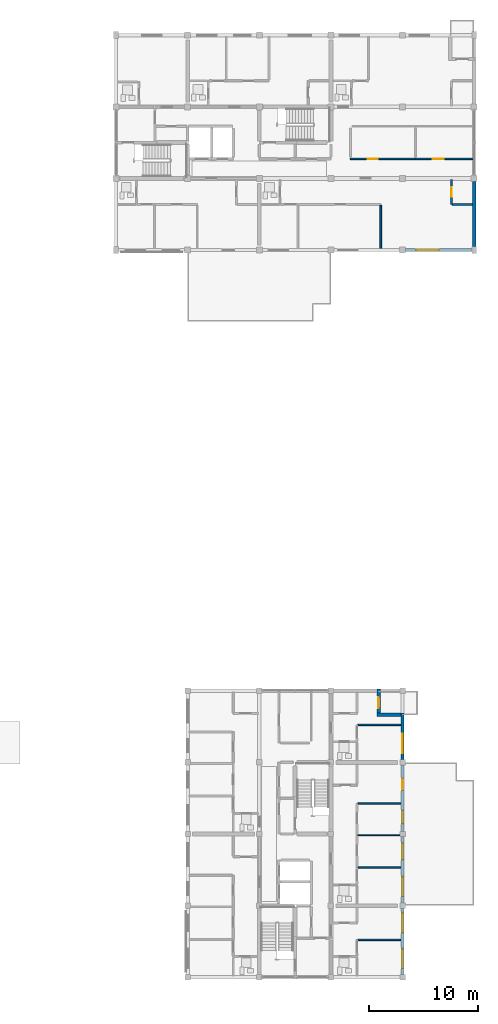
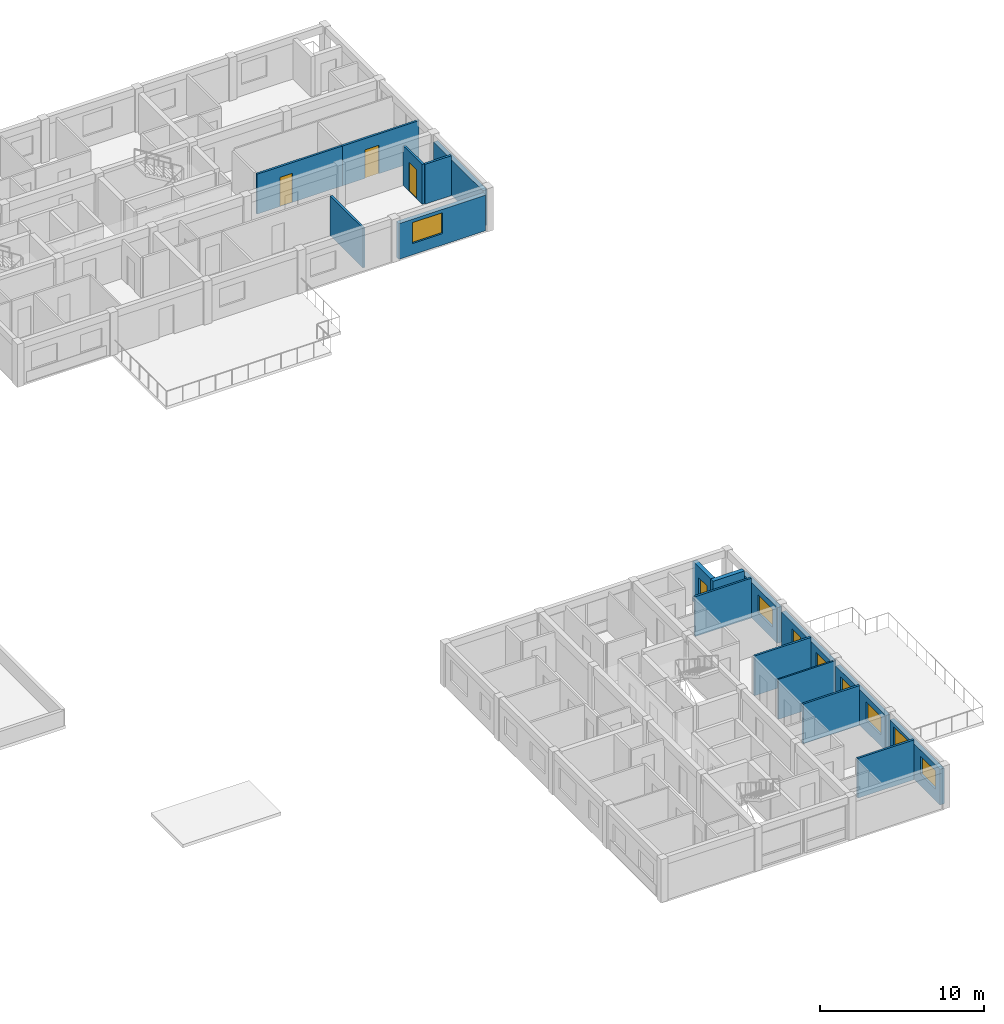
# One storey, part 40 of 51: 18 walls, 7 windows, 5 doors, 12 openings.
"""IFC4 building model written with IfcOpenShell, lengths in metres."""

from ifc_helpers import new_model, si_unit, direction, frame, frame_2d, origin, place, context, subcontext, project, spatial, rectangle, extrude, material, layer, layer_set, type_object, element, fill, save


model = new_model("IFC4")

# Units and contexts
model_context = context("Model", 3, precision=1e-05, world=origin(), true_north=direction((0.0, 1.0)))
body_context = subcontext(model_context, "Body", "Model", "MODEL_VIEW")
ifc_project = project(units=[si_unit("LENGTHUNIT", "METRE"), si_unit("AREAUNIT", "SQUARE_METRE"), si_unit("VOLUMEUNIT", "CUBIC_METRE"), si_unit("PLANEANGLEUNIT", "RADIAN"), si_unit("MASSUNIT", "GRAM", prefix="KILO")], contexts=[model_context])

# Site, building, storey
site_placement = place(None, origin())
site = spatial("IfcSite", under=ifc_project, at=site_placement, CompositionType="ELEMENT")
building_placement = place(site_placement, origin())
building = spatial("IfcBuilding", under=site, at=building_placement, Name="Kernevlak Ridge Housing Community", CompositionType="ELEMENT")
storey_placement = place(building_placement, frame((0.0, 0.0, 8.39990234375)))
storey = spatial("IfcBuildingStorey", under=building, at=storey_placement, Name="L02", CompositionType="ELEMENT", Elevation=8.39990234375)

# Wall, opening, window
ifc_material_1 = material(Name="Concrete block masonry M10", Category="masonry")
ifc_layer_1 = layer(ifc_material_1, 0.300048828125, Name="Concrete block masonry M10")
ifc_layer_set_1 = layer_set([ifc_layer_1], Name="Concrete block masonry M10")
wall_type_1 = type_object("IfcWallType", Name="EW-01", PredefinedType="STANDARD", material=ifc_layer_set_1)
wall_1_placement = place(storey_placement, frame((146.074951171875, 82.60009765625, 0.0), z_axis=(0.0, 0.0, 1.0), x_axis=(1.0, 0.0, 0.0)))
wall_1 = element("IfcWall", 1, at=wall_1_placement, inside=storey, type_object=wall_type_1, Name="Exterior wall EW-01 L02 327", PredefinedType="STANDARD", context=body_context, shape_type="SweptSolid", body=[
    extrude(rectangle(XDim=6.10009765625, YDim=0.300048828125, at=frame_2d((3.050048828125, 0.0))), origin(), (0.0, 0.0, 1.0), 2.650146484375),
])
opening_1_placement = place(wall_1_placement, frame((0.968994140625, 0.0, 0.85009765625)))
opening_1 = element("IfcOpeningElement", 2, at=opening_1_placement, cuts=wall_1, Name="Opening WT-05", PredefinedType="OPENING", context=body_context, shape_type="SweptSolid", body=[
    extrude(rectangle(XDim=2.10009765625, YDim=1.550048828125, at=frame_2d((1.050048828125, 0.77490234375))), frame((0.0, 0.159912109375, 0.0), z_axis=(0.0, -1.0, 0.0), x_axis=(1.0, 0.0, 0.0)), (0.0, 0.0, 1.0), 0.320068359375),
])
ifc_material_2 = material(Name="Aluminium EN AW-6060 anodised and laminated glass", Category="aluminium")
window_type_1 = type_object("IfcWindowType", Name="WT-05", PartitioningType="SINGLE_PANEL", PredefinedType="WINDOW", material=ifc_material_2)
window_1_placement = place(opening_1_placement, origin())
window_1 = element("IfcWindow", 3, at=window_1_placement, inside=storey, type_object=window_type_1, Name="Window WT-05 L02 252", OverallHeight=1.550048828125, OverallWidth=2.10009765625, PartitioningType="SINGLE_PANEL", PredefinedType="WINDOW", context=body_context, shape_type="SweptSolid", body=[
    extrude(rectangle(XDim=2.10009765625, YDim=1.550048828125, at=frame_2d((1.050048828125, 0.77490234375))), frame((0.0, 0.030029296875, 0.0), z_axis=(0.0, -1.0, 0.0), x_axis=(1.0, 0.0, 0.0)), (0.0, 0.0, 1.0), 0.06005859375),
])
fill(opening_1, window_1)

# Wall
wall_2_placement = place(storey_placement, frame((152.39990234375, 82.925048828125, 0.0), z_axis=(0.0, 0.0, 1.0), x_axis=(0.0, 1.0, 0.0)))
element("IfcWall", 4, at=wall_2_placement, inside=storey, type_object=wall_type_1, Name="Exterior wall EW-01 L02 337", PredefinedType="STANDARD", context=body_context, shape_type="SweptSolid", body=[
    extrude(rectangle(XDim=6.0, YDim=0.300048828125, at=frame_2d((3.0, 0.0))), origin(), (0.0, 0.0, 1.0), 2.650146484375),
])

# Wall, openings, windows
wall_3_placement = place(storey_placement, frame((145.800048828125, 15.85009765625, 0.0), z_axis=(0.0, 0.0, 1.0), x_axis=(0.0, 1.0, 0.0)))
wall_3 = element("IfcWall", 5, at=wall_3_placement, inside=storey, type_object=wall_type_1, Name="Exterior wall EW-01 L02 562", PredefinedType="STANDARD", context=body_context, shape_type="SweptSolid", body=[
    extrude(rectangle(XDim=6.099853515625, YDim=0.300048828125, at=frame_2d((3.0498046875, 0.0))), origin(), (0.0, 0.0, 1.0), 2.650146484375),
])
opening_2_placement = place(wall_3_placement, frame((0.574951171875, 0.0, 0.85009765625)))
opening_2 = element("IfcOpeningElement", 6, at=opening_2_placement, cuts=wall_3, Name="Opening WT-03", PredefinedType="OPENING", context=body_context, shape_type="SweptSolid", body=[
    extrude(rectangle(XDim=1.800048828125, YDim=1.35009765625, at=frame_2d((0.89990234375, 0.675048828125))), frame((0.0, 0.159912109375, 0.0), z_axis=(0.0, -1.0, 0.0), x_axis=(1.0, 0.0, 0.0)), (0.0, 0.0, 1.0), 0.320068359375),
])
opening_3_placement = place(wall_3_placement, frame((3.875, 0.0, 0.85009765625)))
opening_3 = element("IfcOpeningElement", 7, at=opening_3_placement, cuts=wall_3, Name="Opening WT-04", PredefinedType="OPENING", context=body_context, shape_type="SweptSolid", body=[
    extrude(rectangle(XDim=1.800048828125, YDim=1.550048828125, at=frame_2d((0.89990234375, 0.77490234375))), frame((0.0, 0.159912109375, 0.0), z_axis=(0.0, -1.0, 0.0), x_axis=(1.0, 0.0, 0.0)), (0.0, 0.0, 1.0), 0.320068359375),
])
window_type_2 = type_object("IfcWindowType", Name="WT-03", PartitioningType="SINGLE_PANEL", PredefinedType="WINDOW", material=ifc_material_2)
window_2_placement = place(opening_2_placement, origin())
window_2 = element("IfcWindow", 8, at=window_2_placement, inside=storey, type_object=window_type_2, Name="Window WT-03 L02 451", OverallHeight=1.35009765625, OverallWidth=1.800048828125, PartitioningType="SINGLE_PANEL", PredefinedType="WINDOW", context=body_context, shape_type="SweptSolid", body=[
    extrude(rectangle(XDim=1.800048828125, YDim=1.35009765625, at=frame_2d((0.89990234375, 0.675048828125))), frame((0.0, 0.030029296875, 0.0), z_axis=(0.0, -1.0, 0.0), x_axis=(1.0, 0.0, 0.0)), (0.0, 0.0, 1.0), 0.06005859375),
])
fill(opening_2, window_2)
window_type_3 = type_object("IfcWindowType", Name="WT-04", PartitioningType="SINGLE_PANEL", PredefinedType="WINDOW", material=ifc_material_2)
window_3_placement = place(opening_3_placement, origin())
window_3 = element("IfcWindow", 9, at=window_3_placement, inside=storey, type_object=window_type_3, Name="Window WT-04 L02 452", OverallHeight=1.550048828125, OverallWidth=1.800048828125, PartitioningType="SINGLE_PANEL", PredefinedType="WINDOW", context=body_context, shape_type="SweptSolid", body=[
    extrude(rectangle(XDim=1.800048828125, YDim=1.550048828125, at=frame_2d((0.89990234375, 0.77490234375))), frame((0.0, 0.030029296875, 0.0), z_axis=(0.0, -1.0, 0.0), x_axis=(1.0, 0.0, 0.0)), (0.0, 0.0, 1.0), 0.06005859375),
])
fill(opening_3, window_3)

wall_4_placement = place(storey_placement, frame((145.800048828125, 22.449951171875, 0.0), z_axis=(0.0, 0.0, 1.0), x_axis=(0.0, 1.0, 0.0)))
wall_4 = element("IfcWall", 10, at=wall_4_placement, inside=storey, type_object=wall_type_1, Name="Exterior wall EW-01 L02 563", PredefinedType="STANDARD", context=body_context, shape_type="SweptSolid", body=[
    extrude(rectangle(XDim=6.10009765625, YDim=0.300048828125, at=frame_2d((3.050048828125, 0.0))), origin(), (0.0, 0.0, 1.0), 2.650146484375),
])
opening_4_placement = place(wall_4_placement, frame((0.60009765625, 0.0, 0.85009765625)))
opening_4 = element("IfcOpeningElement", 11, at=opening_4_placement, cuts=wall_4, Name="Opening WT-03", PredefinedType="OPENING", context=body_context, shape_type="SweptSolid", body=[
    extrude(rectangle(XDim=1.800048828125, YDim=1.35009765625, at=frame_2d((0.89990234375, 0.675048828125))), frame((0.0, 0.159912109375, 0.0), z_axis=(0.0, -1.0, 0.0), x_axis=(1.0, 0.0, 0.0)), (0.0, 0.0, 1.0), 0.320068359375),
])
opening_5_placement = place(wall_4_placement, frame((4.0, 0.0, 0.85009765625)))
opening_5 = element("IfcOpeningElement", 12, at=opening_5_placement, cuts=wall_4, Name="Opening WT-02", PredefinedType="OPENING", context=body_context, shape_type="SweptSolid", body=[
    extrude(rectangle(XDim=1.5, YDim=1.35009765625, at=frame_2d((0.75, 0.675048828125))), frame((0.0, 0.159912109375, 0.0), z_axis=(0.0, -1.0, 0.0), x_axis=(1.0, 0.0, 0.0)), (0.0, 0.0, 1.0), 0.320068359375),
])
window_type_4 = type_object("IfcWindowType", Name="WT-02", PartitioningType="SINGLE_PANEL", PredefinedType="WINDOW", material=ifc_material_2)
window_4_placement = place(opening_5_placement, origin())
window_4 = element("IfcWindow", 13, at=window_4_placement, inside=storey, type_object=window_type_4, Name="Window WT-02 L02 454", OverallHeight=1.35009765625, OverallWidth=1.5, PartitioningType="SINGLE_PANEL", PredefinedType="WINDOW", context=body_context, shape_type="SweptSolid", body=[
    extrude(rectangle(XDim=1.5, YDim=1.35009765625, at=frame_2d((0.75, 0.675048828125))), frame((0.0, 0.030029296875, 0.0), z_axis=(0.0, -1.0, 0.0), x_axis=(1.0, 0.0, 0.0)), (0.0, 0.0, 1.0), 0.06005859375),
])
fill(opening_5, window_4)
window_5_placement = place(opening_4_placement, origin())
window_5 = element("IfcWindow", 14, at=window_5_placement, inside=storey, type_object=window_type_2, Name="Window WT-03 L02 453", OverallHeight=1.35009765625, OverallWidth=1.800048828125, PartitioningType="SINGLE_PANEL", PredefinedType="WINDOW", context=body_context, shape_type="SweptSolid", body=[
    extrude(rectangle(XDim=1.800048828125, YDim=1.35009765625, at=frame_2d((0.89990234375, 0.675048828125))), frame((0.0, 0.030029296875, 0.0), z_axis=(0.0, -1.0, 0.0), x_axis=(1.0, 0.0, 0.0)), (0.0, 0.0, 1.0), 0.06005859375),
])
fill(opening_4, window_5)

# Wall, openings, door, window
wall_5_placement = place(storey_placement, frame((145.800048828125, 29.050048828125, 0.0), z_axis=(0.0, 0.0, 1.0), x_axis=(0.0, 1.0, 0.0)))
wall_5 = element("IfcWall", 15, at=wall_5_placement, inside=storey, type_object=wall_type_1, Name="Exterior wall EW-01 L02 564", PredefinedType="STANDARD", context=body_context, shape_type="SweptSolid", body=[
    extrude(rectangle(XDim=6.099853515625, YDim=0.300048828125, at=frame_2d((3.0498046875, 0.0))), origin(), (0.0, 0.0, 1.0), 2.650146484375),
])
opening_6_placement = place(wall_5_placement, frame((0.699951171875, 0.0, 0.85009765625)))
opening_6 = element("IfcOpeningElement", 16, at=opening_6_placement, cuts=wall_5, Name="Opening WT-01", PredefinedType="OPENING", context=body_context, shape_type="SweptSolid", body=[
    extrude(rectangle(XDim=1.199951171875, YDim=1.35009765625, at=frame_2d((0.60009765625, 0.675048828125))), frame((0.0, 0.159912109375, 0.0), z_axis=(0.0, -1.0, 0.0), x_axis=(1.0, 0.0, 0.0)), (0.0, 0.0, 1.0), 0.320068359375),
])
opening_7_placement = place(wall_5_placement, frame((3.800048828125, 0.0, 0.0)))
opening_7 = element("IfcOpeningElement", 17, at=opening_7_placement, cuts=wall_5, Name="Opening E159", PredefinedType="OPENING", context=body_context, shape_type="SweptSolid", body=[
    extrude(rectangle(XDim=1.050048828125, YDim=2.179931640625, at=frame_2d((0.52490234375, 1.08984375))), frame((0.0, 0.159912109375, 0.0), z_axis=(0.0, -1.0, 0.0), x_axis=(1.0, 0.0, 0.0)), (0.0, 0.0, 1.0), 0.320068359375),
])
ifc_material_3 = material(Name="Aluminium EN AW-6060 and laminated safety glass", Category="aluminium")
door_type_1 = type_object("IfcDoorType", Name="DT-12", OperationType="NOTDEFINED", PredefinedType="DOOR", material=ifc_material_3)
door_1_placement = place(opening_7_placement, origin())
door_1 = element("IfcDoor", 18, at=door_1_placement, inside=storey, type_object=door_type_1, Name="Flat C0222 podium terrace glazed door E159", OperationType="SINGLE_SWING_RIGHT", OverallHeight=2.179931640625, OverallWidth=1.050048828125, PredefinedType="DOOR", context=body_context, shape_type="SweptSolid", body=[
    extrude(rectangle(XDim=1.050048828125, YDim=2.179931640625, at=frame_2d((0.52490234375, 1.08984375))), frame((0.0, 0.02490234375, 0.0), z_axis=(0.0, -1.0, 0.0), x_axis=(1.0, 0.0, 0.0)), (0.0, 0.0, 1.0), 0.050048828125),
])
fill(opening_7, door_1)
window_type_5 = type_object("IfcWindowType", Name="WT-01", PartitioningType="SINGLE_PANEL", PredefinedType="WINDOW", material=ifc_material_2)
window_6_placement = place(opening_6_placement, origin())
window_6 = element("IfcWindow", 19, at=window_6_placement, inside=storey, type_object=window_type_5, Name="Window WT-01 L02 455", OverallHeight=1.35009765625, OverallWidth=1.199951171875, PartitioningType="SINGLE_PANEL", PredefinedType="WINDOW", context=body_context, shape_type="SweptSolid", body=[
    extrude(rectangle(XDim=1.199951171875, YDim=1.35009765625, at=frame_2d((0.60009765625, 0.675048828125))), frame((0.0, 0.030029296875, 0.0), z_axis=(0.0, -1.0, 0.0), x_axis=(1.0, 0.0, 0.0)), (0.0, 0.0, 1.0), 0.06005859375),
])
fill(opening_6, window_6)

# Wall, opening, window
wall_6_placement = place(storey_placement, frame((145.800048828125, 35.64990234375, 0.0), z_axis=(0.0, 0.0, 1.0), x_axis=(0.0, 1.0, 0.0)))
wall_6 = element("IfcWall", 20, at=wall_6_placement, inside=storey, type_object=wall_type_1, Name="Exterior wall EW-01 L02 565", PredefinedType="STANDARD", context=body_context, shape_type="SweptSolid", body=[
    extrude(rectangle(XDim=4.300048828125, YDim=0.300048828125, at=frame_2d((2.14990234375, 0.0))), origin(), (0.0, 0.0, 1.0), 2.650146484375),
])
opening_8_placement = place(wall_6_placement, frame((0.574951171875, 0.0, 0.85009765625)))
opening_8 = element("IfcOpeningElement", 21, at=opening_8_placement, cuts=wall_6, Name="Opening WT-03", PredefinedType="OPENING", context=body_context, shape_type="SweptSolid", body=[
    extrude(rectangle(XDim=1.800048828125, YDim=1.35009765625, at=frame_2d((0.89990234375, 0.675048828125))), frame((0.0, 0.159912109375, 0.0), z_axis=(0.0, -1.0, 0.0), x_axis=(1.0, 0.0, 0.0)), (0.0, 0.0, 1.0), 0.320068359375),
])
window_7_placement = place(opening_8_placement, origin())
window_7 = element("IfcWindow", 22, at=window_7_placement, inside=storey, type_object=window_type_2, Name="Window WT-03 L02 456", OverallHeight=1.35009765625, OverallWidth=1.800048828125, PartitioningType="SINGLE_PANEL", PredefinedType="WINDOW", context=body_context, shape_type="SweptSolid", body=[
    extrude(rectangle(XDim=1.800048828125, YDim=1.35009765625, at=frame_2d((0.89990234375, 0.675048828125))), frame((0.0, 0.030029296875, 0.0), z_axis=(0.0, -1.0, 0.0), x_axis=(1.0, 0.0, 0.0)), (0.0, 0.0, 1.0), 0.06005859375),
])
fill(opening_8, window_7)

# Wall
wall_7_placement = place(storey_placement, frame((145.64990234375, 39.800048828125, 0.0), z_axis=(0.0, 0.0, 1.0), x_axis=(-1.0, 0.0, 0.0)))
element("IfcWall", 23, at=wall_7_placement, inside=storey, type_object=wall_type_1, Name="Exterior wall EW-01 L02 566", PredefinedType="STANDARD", context=body_context, shape_type="SweptSolid", body=[
    extrude(rectangle(XDim=2.199951171875, YDim=0.300048828125, at=frame_2d((1.10009765625, 0.0))), origin(), (0.0, 0.0, 1.0), 2.960205078125),
])

# Wall, opening, door
wall_8_placement = place(storey_placement, frame((143.60009765625, 39.949951171875, 0.0), z_axis=(0.0, 0.0, 1.0), x_axis=(0.0, 1.0, 0.0)))
wall_8 = element("IfcWall", 24, at=wall_8_placement, inside=storey, type_object=wall_type_1, Name="Exterior wall EW-01 L02 567", PredefinedType="STANDARD", context=body_context, shape_type="SweptSolid", body=[
    extrude(rectangle(XDim=2.199951171875, YDim=0.300048828125, at=frame_2d((1.10009765625, 0.0))), origin(), (0.0, 0.0, 1.0), 2.960205078125),
])
opening_9_placement = place(wall_8_placement, frame((0.43994140625, 0.0, 0.0)))
opening_9 = element("IfcOpeningElement", 25, at=opening_9_placement, cuts=wall_8, Name="Opening E164", PredefinedType="OPENING", context=body_context, shape_type="SweptSolid", body=[
    extrude(rectangle(XDim=1.02001953125, YDim=2.159912109375, at=frame_2d((0.510009765625, 1.080078125))), frame((0.0, 0.159912109375, 0.0), z_axis=(0.0, -1.0, 0.0), x_axis=(1.0, 0.0, 0.0)), (0.0, 0.0, 1.0), 0.320068359375),
])
door_type_2 = type_object("IfcDoorType", Name="DT-33", OperationType="NOTDEFINED", PredefinedType="DOOR", material=ifc_material_3)
door_2_placement = place(opening_9_placement, origin())
door_2 = element("IfcDoor", 26, at=door_2_placement, inside=storey, type_object=door_type_2, Name="Flat C0223 corner balcony glazed door E164", OperationType="SINGLE_SWING_LEFT", OverallHeight=2.159912109375, OverallWidth=1.02001953125, PredefinedType="DOOR", context=body_context, shape_type="SweptSolid", body=[
    extrude(rectangle(XDim=1.02001953125, YDim=2.159912109375, at=frame_2d((0.510009765625, 1.080078125))), frame((0.0, 0.02490234375, 0.0), z_axis=(0.0, -1.0, 0.0), x_axis=(1.0, 0.0, 0.0)), (0.0, 0.0, 1.0), 0.050048828125),
])
fill(opening_9, door_2)

ifc_layer_2 = layer(ifc_material_1, 0.14501953125, Name="Concrete block masonry M10")
ifc_layer_set_2 = layer_set([ifc_layer_2], Name="Concrete block masonry M10")
wall_type_2 = type_object("IfcWallType", Name="PW-03", PredefinedType="PARTITIONING", material=ifc_layer_set_2)
wall_9_placement = place(storey_placement, frame((141.0, 91.0, 0.0), z_axis=(0.0, 0.0, 1.0), x_axis=(1.0, 0.0, 0.0)))
wall_9 = element("IfcWall", 27, at=wall_9_placement, inside=storey, type_object=wall_type_2, Name="Interior wall PW-03 WAL-INT-L02-1283", PredefinedType="PARTITIONING", context=body_context, shape_type="SweptSolid", body=[
    extrude(rectangle(XDim=6.0, YDim=0.14501953125, at=frame_2d((3.0, 0.0))), origin(), (0.0, 0.0, 1.0), 2.960205078125),
])
opening_10_placement = place(wall_9_placement, frame((1.60009765625, 0.0, 0.0)))
opening_10 = element("IfcOpeningElement", 28, at=opening_10_placement, cuts=wall_9, Name="Opening D647", PredefinedType="OPENING", context=body_context, shape_type="SweptSolid", body=[
    extrude(rectangle(XDim=0.89990234375, YDim=2.159912109375, at=frame_2d((0.449951171875, 1.080078125))), frame((0.0, 0.08251953125, 0.0), z_axis=(0.0, -1.0, 0.0), x_axis=(1.0, 0.0, 0.0)), (0.0, 0.0, 1.0), 0.1650390625),
])
ifc_material_4 = material(Name="Hardwood timber leaf", Category="wood")
door_type_3 = type_object("IfcDoorType", Name="DT-22", OperationType="NOTDEFINED", PredefinedType="DOOR", material=ifc_material_4)
door_3_placement = place(opening_10_placement, origin())
door_3 = element("IfcDoor", 29, at=door_3_placement, inside=storey, type_object=door_type_3, Name="Block B Laundry room door D647", OperationType="SINGLE_SWING_LEFT", OverallHeight=2.159912109375, OverallWidth=0.89990234375, PredefinedType="DOOR", context=body_context, shape_type="SweptSolid", body=[
    extrude(rectangle(XDim=0.89990234375, YDim=2.159912109375, at=frame_2d((0.449951171875, 1.080078125))), frame((0.0, 0.02490234375, 0.0), z_axis=(0.0, -1.0, 0.0), x_axis=(1.0, 0.0, 0.0)), (0.0, 0.0, 1.0), 0.050048828125),
])
fill(opening_10, door_3)

wall_10_placement = place(storey_placement, frame((147.0, 91.0, 0.0), z_axis=(0.0, 0.0, 1.0), x_axis=(1.0, 0.0, 0.0)))
wall_10 = element("IfcWall", 30, at=wall_10_placement, inside=storey, type_object=wall_type_2, Name="Interior wall PW-03 WAL-INT-L02-1284", PredefinedType="PARTITIONING", context=body_context, shape_type="SweptSolid", body=[
    extrude(rectangle(XDim=5.39990234375, YDim=0.14501953125, at=frame_2d((2.699951171875, 0.0))), origin(), (0.0, 0.0, 1.0), 2.960205078125),
])
opening_11_placement = place(wall_10_placement, frame((1.60009765625, 0.0, 0.0)))
opening_11 = element("IfcOpeningElement", 31, at=opening_11_placement, cuts=wall_10, Name="Opening D648", PredefinedType="OPENING", context=body_context, shape_type="SweptSolid", body=[
    extrude(rectangle(XDim=0.97998046875, YDim=2.1201171875, at=frame_2d((0.489990234375, 1.06005859375))), frame((0.0, 0.08251953125, 0.0), z_axis=(0.0, -1.0, 0.0), x_axis=(1.0, 0.0, 0.0)), (0.0, 0.0, 1.0), 0.1650390625),
])
door_type_4 = type_object("IfcDoorType", Name="DT-24", OperationType="NOTDEFINED", PredefinedType="DOOR", material=ifc_material_4)
door_4_placement = place(opening_11_placement, origin())
door_4 = element("IfcDoor", 32, at=door_4_placement, inside=storey, type_object=door_type_4, Name="Block B Study room door D648", OperationType="SINGLE_SWING_RIGHT", OverallHeight=2.1201171875, OverallWidth=0.97998046875, PredefinedType="DOOR", context=body_context, shape_type="SweptSolid", body=[
    extrude(rectangle(XDim=0.97998046875, YDim=2.1201171875, at=frame_2d((0.489990234375, 1.06005859375))), frame((0.0, 0.02490234375, 0.0), z_axis=(0.0, -1.0, 0.0), x_axis=(1.0, 0.0, 0.0)), (0.0, 0.0, 1.0), 0.050048828125),
])
fill(opening_11, door_4)

# Walls
wall_11_placement = place(storey_placement, frame((143.7880859375, 86.717529296875, 0.0), z_axis=(0.0, 0.0, 1.0), x_axis=(0.0, -1.0, 0.0)))
element("IfcWall", 33, at=wall_11_placement, inside=storey, type_object=wall_type_2, Name="Interior wall PW-03 WAL-INT-L02-1305", PredefinedType="PARTITIONING", context=body_context, shape_type="SweptSolid", body=[
    extrude(rectangle(XDim=3.95751953125, YDim=0.14501953125, at=frame_2d((1.978759765625, 0.0))), origin(), (0.0, 0.0, 1.0), 2.960205078125),
])
wall_12_placement = place(storey_placement, frame((141.679931640625, 19.050048828125, 0.0), z_axis=(0.0, 0.0, 1.0), x_axis=(1.0, 0.0, 0.0)))
element("IfcWall", 34, at=wall_12_placement, inside=storey, type_object=wall_type_2, Name="Interior wall PW-03 WAL-INT-L02-2277", PredefinedType="PARTITIONING", context=body_context, shape_type="SweptSolid", body=[
    extrude(rectangle(XDim=3.9599609375, YDim=0.14501953125, at=frame_2d((1.97998046875, 0.0))), origin(), (0.0, 0.0, 1.0), 2.960205078125),
])
for number, where, z_axis, x_axis, name in (
    (35, (141.6826171875, 25.699951171875, 0.0), (0.0, 0.0, 1.0), (1.0, 0.0, 0.0), "Interior wall PW-03 WAL-INT-L02-2284"),
    (36, (141.6826171875, 31.60009765625, 0.0), (0.0, 0.0, 1.0), (1.0, 0.0, 0.0), "Interior wall PW-03 WAL-INT-L02-2288"),
    (37, (141.6826171875, 38.85009765625, 0.0), (0.0, 0.0, 1.0), (1.0, 0.0, 0.0), "Interior wall PW-03 WAL-INT-L02-2295"),
):
    element("IfcWall", number, at=place(storey_placement, frame(where, z_axis=z_axis, x_axis=x_axis)), inside=storey, type_object=wall_type_2, Name=name, PredefinedType="PARTITIONING", context=body_context, shape_type="SweptSolid", body=[
        extrude(rectangle(XDim=3.957275390625, YDim=0.14501953125, at=frame_2d((1.978515625, 0.0))), origin(), (0.0, 0.0, 1.0), 2.960205078125),
    ])

# Wall, opening, door
ifc_material_5 = material(Name="Gypsum plasterboard EN 520", Category="gypsum")
ifc_layer_3 = layer(ifc_material_5, 0.155029296875, Name="Gypsum plasterboard EN 520")
ifc_layer_set_3 = layer_set([ifc_layer_3], Name="Gypsum plasterboard EN 520")
wall_type_3 = type_object("IfcWallType", Name="PW-05", PredefinedType="PARTITIONING", material=ifc_layer_set_3)
wall_13_placement = place(storey_placement, frame((150.300048828125, 89.1025390625, 0.0), z_axis=(0.0, 0.0, 1.0), x_axis=(0.0, -1.0, 0.0)))
wall_13 = element("IfcWall", 38, at=wall_13_placement, inside=storey, type_object=wall_type_3, Name="Interior wall PW-05 WAL-INT-L02-1300", PredefinedType="PARTITIONING", context=body_context, shape_type="SweptSolid", body=[
    extrude(rectangle(XDim=2.302490234375, YDim=0.155029296875, at=frame_2d((1.1513671875, 0.0))), origin(), (0.0, 0.0, 1.0), 2.960205078125),
])
opening_12_placement = place(wall_13_placement, frame((0.699951171875, 0.0, 0.0)))
opening_12 = element("IfcOpeningElement", 39, at=opening_12_placement, cuts=wall_13, Name="Opening D657", PredefinedType="OPENING", context=body_context, shape_type="SweptSolid", body=[
    extrude(rectangle(XDim=0.89990234375, YDim=2.159912109375, at=frame_2d((0.449951171875, 1.080078125))), frame((0.0, 0.08740234375, 0.0), z_axis=(0.0, -1.0, 0.0), x_axis=(1.0, 0.0, 0.0)), (0.0, 0.0, 1.0), 0.175048828125),
])
door_5_placement = place(opening_12_placement, origin())
door_5 = element("IfcDoor", 40, at=door_5_placement, inside=storey, type_object=door_type_3, Name="Flat B0212 kitchen door D657", OperationType="SINGLE_SWING_LEFT", OverallHeight=2.159912109375, OverallWidth=0.89990234375, PredefinedType="DOOR", context=body_context, shape_type="SweptSolid", body=[
    extrude(rectangle(XDim=0.89990234375, YDim=2.159912109375, at=frame_2d((0.449951171875, 1.080078125))), frame((0.0, 0.02490234375, 0.0), z_axis=(0.0, -1.0, 0.0), x_axis=(1.0, 0.0, 0.0)), (0.0, 0.0, 1.0), 0.050048828125),
])
fill(opening_12, door_5)

# Walls
wall_14_placement = place(storey_placement, frame((150.387451171875, 86.800048828125, 0.0), z_axis=(0.0, 0.0, 1.0), x_axis=(1.0, 0.0, 0.0)))
element("IfcWall", 41, at=wall_14_placement, inside=storey, type_object=wall_type_3, Name="Interior wall PW-05 WAL-INT-L02-1301", PredefinedType="PARTITIONING", context=body_context, shape_type="SweptSolid", body=[
    extrude(rectangle(XDim=1.8525390625, YDim=0.155029296875, at=frame_2d((0.92626953125, 0.0))), origin(), (0.0, 0.0, 1.0), 2.960205078125),
])
ifc_layer_4 = layer(ifc_material_5, 0.10498046875, Name="Gypsum plasterboard EN 520")
ifc_layer_set_4 = layer_set([ifc_layer_4], Name="Gypsum plasterboard EN 520")
wall_type_4 = type_object("IfcWallType", Name="PW-06", PredefinedType="PARTITIONING", material=ifc_layer_set_4)
wall_15_placement = place(storey_placement, frame((141.6826171875, 28.699951171875, 0.0), z_axis=(0.0, 0.0, 1.0), x_axis=(1.0, 0.0, 0.0)))
element("IfcWall", 42, at=wall_15_placement, inside=storey, type_object=wall_type_4, Name="Interior wall PW-06 WAL-INT-L02-2286", PredefinedType="PARTITIONING", context=body_context, shape_type="SweptSolid", body=[
    extrude(rectangle(XDim=4.037353515625, YDim=0.10498046875, at=frame_2d((2.0185546875, 0.0))), origin(), (0.0, 0.0, 1.0), 2.960205078125),
])

save(model, "model.ifc")
